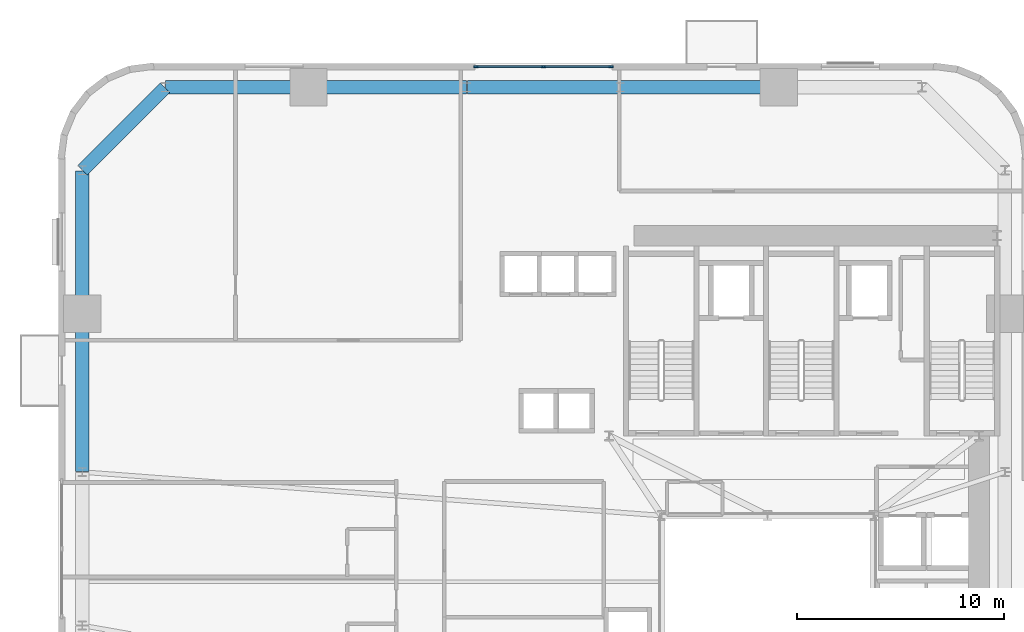
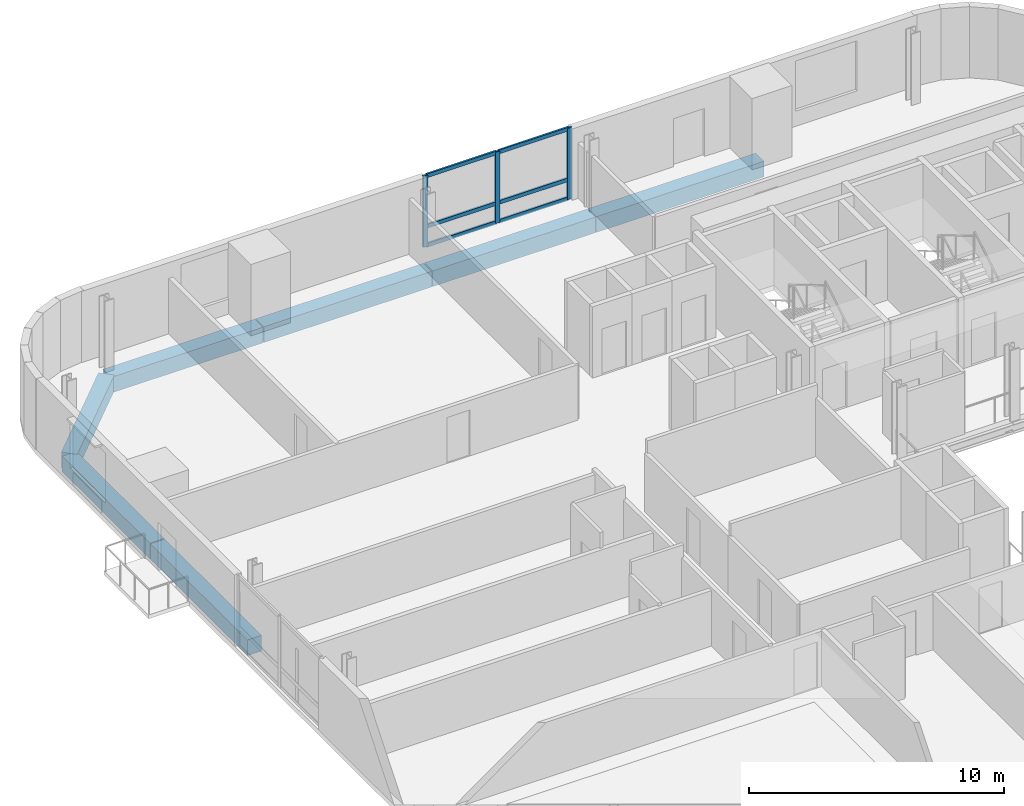
# One storey, part 4 of 11: 9 members, 7 beams, 1 element without a shape of its own.
"""IFC4 building model written with IfcOpenShell, lengths in metres."""

from ifc_helpers import new_model, si_unit, direction, frame, origin, origin_2d, place, context, subcontext, project, spatial, rectangle, extrude, source, transform, mapped, material, material_profile, profile_set, type_object, element, aggregate, save


model = new_model("IFC4")

# Units and contexts
model_context = context("Model", 3, precision=1e-05, world=origin(), true_north=direction((0.0, 1.0)))
body_context = subcontext(model_context, "Body", "Model", "MODEL_VIEW")
ifc_project = project(units=[si_unit("LENGTHUNIT", "METRE"), si_unit("AREAUNIT", "SQUARE_METRE"), si_unit("VOLUMEUNIT", "CUBIC_METRE"), si_unit("PLANEANGLEUNIT", "RADIAN"), si_unit("MASSUNIT", "GRAM", prefix="KILO")], contexts=[model_context])

# Site, building, storey
site_placement = place(None, origin())
site = spatial("IfcSite", under=ifc_project, at=site_placement, CompositionType="ELEMENT")
building_placement = place(site_placement, origin())
building = spatial("IfcBuilding", under=site, at=building_placement, Name="Vardaveli Station Tower", CompositionType="ELEMENT")
storey_placement = place(building_placement, frame((0.0, 0.0, 42.199951171875)))
storey = spatial("IfcBuildingStorey", under=building, at=storey_placement, Name="L10", CompositionType="ELEMENT", Elevation=42.199951171875)

# Beams
ifc_material_1 = material(Name="Precast concrete C45/55", Category="concrete")
ifc_material_profile_1 = material_profile(ifc_material_1, rectangle(XDim=0.64990234375, YDim=0.75, at=origin_2d()), Name="LPB 650x750")
ifc_profile_set_1 = profile_set([ifc_material_profile_1], Name="Precast concrete C45/55")
beam_type = type_object("IfcBeamType", Name="BM-LPB-750", PredefinedType="BEAM", material=ifc_profile_set_1)
shared_shape_1 = source(origin(), body_context, "Body", "SweptSolid", [
    extrude(rectangle(XDim=0.64990234375, YDim=0.75, at=origin_2d()), origin(), (0.0, 0.0, 1.0), 7.60009765625),
])
for number, where, z_axis, x_axis, name in (
    (1, (36.820068359375, 47.449951171875, -0.614990234375), (-1.0, 0.0, 0.0), (0.0, -1.0, 0.0), "RBM-L10-13"),
    (2, (21.780029296875, 47.449951171875, -0.614990234375), (-1.0, 0.0, 0.0), (0.0, -1.0, 0.0), "RBM-L10-15"),
    (3, (3.25, 36.52001953125, -0.614990234375), (0.0, -1.0, 0.0), (1.0, 0.0, 0.0), "RBM-L10-19"),
):
    element("IfcBeam", number, at=place(storey_placement, frame(where, z_axis=z_axis, x_axis=x_axis)), inside=storey, type_object=beam_type, Name=name, PredefinedType="BEAM", context=body_context, shape_type="MappedRepresentation", body=[
        mapped(shared_shape_1, transform((0.0, 0.0, 0.0), scale=1.0)),
    ])
shared_shape_2 = source(origin(), body_context, "Body", "SweptSolid", [
    extrude(rectangle(XDim=0.64990234375, YDim=0.75, at=origin_2d()), origin(), (0.0, 0.0, 1.0), 7.35986328125),
])
beam_1_placement = place(storey_placement, frame((29.179931640625, 47.449951171875, -0.614990234375), z_axis=(-1.0, 0.0, 0.0), x_axis=(0.0, -1.0, 0.0)))
element("IfcBeam", 4, at=beam_1_placement, inside=storey, type_object=beam_type, Name="RBM-L10-14", PredefinedType="BEAM", context=body_context, shape_type="MappedRepresentation", body=[
    mapped(shared_shape_2, transform((0.0, 0.0, 0.0), scale=1.0)),
])
shared_shape_3 = source(origin(), body_context, "Body", "SweptSolid", [
    extrude(rectangle(XDim=0.64990234375, YDim=0.75, at=origin_2d()), origin(), (0.0, 0.0, 1.0), 6.869873046875),
])
for number, where, z_axis, x_axis, name in (
    (5, (14.139892578125, 47.449951171875, -0.614990234375), (-1.0, 0.0, 0.0), (0.0, -1.0, 0.0), "RBM-L10-16"),
    (6, (3.25, 43.429931640625, -0.614990234375), (0.0, -1.0, 0.0), (1.0, 0.0, 0.0), "RBM-L10-18"),
):
    element("IfcBeam", number, at=place(storey_placement, frame(where, z_axis=z_axis, x_axis=x_axis)), inside=storey, type_object=beam_type, Name=name, PredefinedType="BEAM", context=body_context, shape_type="MappedRepresentation", body=[
        mapped(shared_shape_3, transform((0.0, 0.0, 0.0), scale=1.0)),
    ])
shared_shape_4 = source(origin(), body_context, "Body", "SweptSolid", [
    extrude(rectangle(XDim=0.64990234375, YDim=0.75, at=origin_2d()), origin(), (0.0, 0.0, 1.0), 5.61669921875),
])
beam_2_placement = place(storey_placement, frame((7.23583984375, 47.435791015625, -0.614990234375), z_axis=(-0.707106781187, -0.707106781187, 0.0), x_axis=(0.707106781187, -0.707106781187, 0.0)))
element("IfcBeam", 7, at=beam_2_placement, inside=storey, type_object=beam_type, Name="RBM-L10-17", PredefinedType="BEAM", context=body_context, shape_type="MappedRepresentation", body=[
    mapped(shared_shape_4, transform((0.0, 0.0, 0.0), scale=1.0)),
])

# Curtain wall, members
ifc_material_2 = material(Name="Travertine stone and solar-control glass", Category="masonry")
curtain_wall_type = type_object("IfcCurtainWallType", Name="CW-SYS-2", PredefinedType="NOTDEFINED", material=ifc_material_2)
curtain_wall_placement = place(storey_placement, origin())
curtain_wall = element("IfcCurtainWall", 8, at=curtain_wall_placement, inside=storey, type_object=curtain_wall_type, Name="CW-L10-N", PredefinedType="NOTDEFINED")
ifc_material_3 = material(Name="Anodised aluminium alloy 6063-T6", Category="aluminium")
ifc_material_profile_2 = material_profile(ifc_material_3, rectangle(XDim=0.0849609375, YDim=0.179931640625, at=origin_2d()), Name="CWT 85x180")
ifc_profile_set_2 = profile_set([ifc_material_profile_2], Name="Anodised aluminium alloy 6063-T6")
member_type_1 = type_object("IfcMemberType", Name="CW-SYS-2-TRAN", PredefinedType="NOTDEFINED", material=ifc_profile_set_2)
shared_shape_5 = source(origin(), body_context, "Body", "SweptSolid", [
    extrude(rectangle(XDim=0.0849609375, YDim=0.179931640625, at=origin_2d()), origin(), (0.0, 0.0, 1.0), 3.172607421875),
])
member_1_placement = place(storey_placement, frame((28.715087890625, 48.43994140625, 0.04248046875), z_axis=(-1.0, 0.0, 0.0), x_axis=(0.0, -1.0, 0.0)))
member_1 = element("IfcMember", 9, at=member_1_placement, type_object=member_type_1, Name="CW-2 transom 1.1", ObjectType="TRANSOM", PredefinedType="USERDEFINED", context=body_context, shape_type="MappedRepresentation", body=[
    mapped(shared_shape_5, transform((0.0, 0.0, 0.0), scale=1.0)),
])
member_2_placement = place(storey_placement, frame((28.715087890625, 48.43994140625, 0.949951171875), z_axis=(-1.0, 0.0, 0.0), x_axis=(0.0, -1.0, 0.0)))
member_2 = element("IfcMember", 10, at=member_2_placement, type_object=member_type_1, Name="CW-2 transom 1.2", ObjectType="TRANSOM", PredefinedType="USERDEFINED", context=body_context, shape_type="MappedRepresentation", body=[
    mapped(shared_shape_5, transform((0.0, 0.0, 0.0), scale=1.0)),
])
member_3_placement = place(storey_placement, frame((28.715087890625, 48.43994140625, 3.367431640625), z_axis=(-1.0, 0.0, 0.0), x_axis=(0.0, -1.0, 0.0)))
member_3 = element("IfcMember", 11, at=member_3_placement, type_object=member_type_1, Name="CW-2 transom 1.3", ObjectType="TRANSOM", PredefinedType="USERDEFINED", context=body_context, shape_type="MappedRepresentation", body=[
    mapped(shared_shape_5, transform((0.0, 0.0, 0.0), scale=1.0)),
])
member_4_placement = place(storey_placement, frame((25.45751953125, 48.43994140625, 0.04248046875), z_axis=(-1.0, 0.0, 0.0), x_axis=(0.0, -1.0, 0.0)))
member_4 = element("IfcMember", 12, at=member_4_placement, type_object=member_type_1, Name="CW-2 transom 2.1", ObjectType="TRANSOM", PredefinedType="USERDEFINED", context=body_context, shape_type="MappedRepresentation", body=[
    mapped(shared_shape_5, transform((0.0, 0.0, 0.0), scale=1.0)),
])
member_5_placement = place(storey_placement, frame((25.45751953125, 48.43994140625, 0.949951171875), z_axis=(-1.0, 0.0, 0.0), x_axis=(0.0, -1.0, 0.0)))
member_5 = element("IfcMember", 13, at=member_5_placement, type_object=member_type_1, Name="CW-2 transom 2.2", ObjectType="TRANSOM", PredefinedType="USERDEFINED", context=body_context, shape_type="MappedRepresentation", body=[
    mapped(shared_shape_5, transform((0.0, 0.0, 0.0), scale=1.0)),
])
member_6_placement = place(storey_placement, frame((25.45751953125, 48.43994140625, 3.367431640625), z_axis=(-1.0, 0.0, 0.0), x_axis=(0.0, -1.0, 0.0)))
member_6 = element("IfcMember", 14, at=member_6_placement, type_object=member_type_1, Name="CW-2 transom 2.3", ObjectType="TRANSOM", PredefinedType="USERDEFINED", context=body_context, shape_type="MappedRepresentation", body=[
    mapped(shared_shape_5, transform((0.0, 0.0, 0.0), scale=1.0)),
])
ifc_material_profile_3 = material_profile(ifc_material_3, rectangle(XDim=0.0849609375, YDim=0.219970703125, at=origin_2d()), Name="CWM 85x220")
ifc_profile_set_3 = profile_set([ifc_material_profile_3], Name="Anodised aluminium alloy 6063-T6")
member_type_2 = type_object("IfcMemberType", Name="CW-SYS-2-MULL", PredefinedType="MULLION", material=ifc_profile_set_3)
shared_shape_6 = source(origin(), body_context, "Body", "SweptSolid", [
    extrude(rectangle(XDim=0.0849609375, YDim=0.219970703125, at=origin_2d()), origin(), (0.0, 0.0, 1.0), 3.41015625),
])
member_7_placement = place(storey_placement, frame((28.757568359375, 48.43994140625, 0.0), z_axis=(0.0, 0.0, 1.0), x_axis=(0.0, -1.0, 0.0)))
member_7 = element("IfcMember", 15, at=member_7_placement, type_object=member_type_2, Name="CW-2 mullion 1", PredefinedType="MULLION", context=body_context, shape_type="MappedRepresentation", body=[
    mapped(shared_shape_6, transform((0.0, 0.0, 0.0), scale=1.0)),
])
member_8_placement = place(storey_placement, frame((25.5, 48.43994140625, 0.0), z_axis=(0.0, 0.0, 1.0), x_axis=(0.0, -1.0, 0.0)))
member_8 = element("IfcMember", 16, at=member_8_placement, type_object=member_type_2, Name="CW-2 mullion 2", PredefinedType="MULLION", context=body_context, shape_type="MappedRepresentation", body=[
    mapped(shared_shape_6, transform((0.0, 0.0, 0.0), scale=1.0)),
])
member_9_placement = place(storey_placement, frame((22.242431640625, 48.43994140625, 0.0), z_axis=(0.0, 0.0, 1.0), x_axis=(0.0, -1.0, 0.0)))
member_9 = element("IfcMember", 17, at=member_9_placement, type_object=member_type_2, Name="CW-2 mullion 3", PredefinedType="MULLION", context=body_context, shape_type="MappedRepresentation", body=[
    mapped(shared_shape_6, transform((0.0, 0.0, 0.0), scale=1.0)),
])
aggregate(curtain_wall, [member_7, member_8, member_9, member_1, member_2, member_3, member_4, member_5, member_6])

save(model, "model.ifc")
